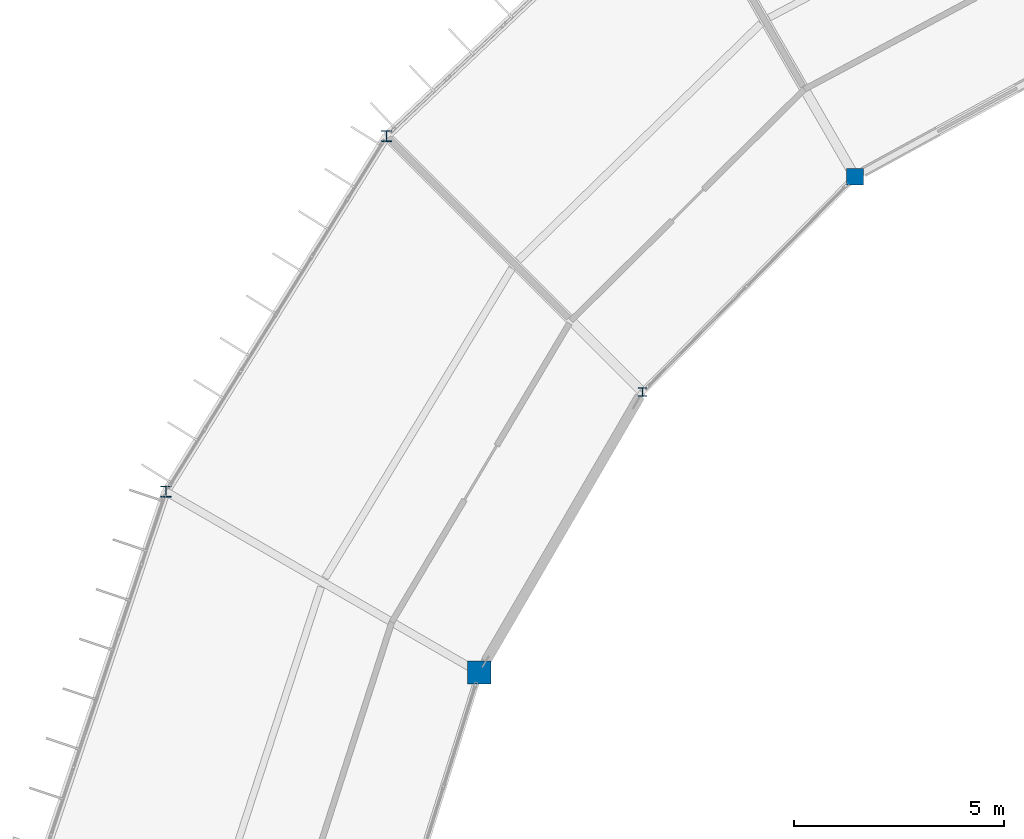
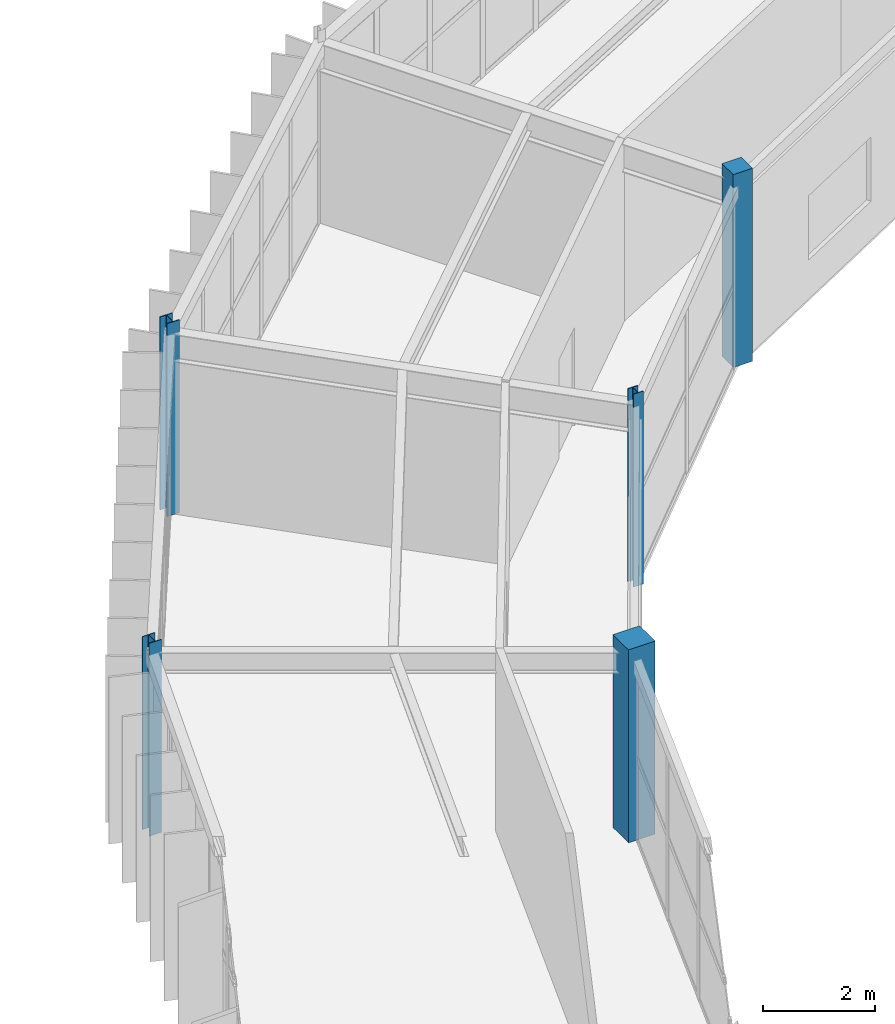
# One storey, part 11 of 134: 5 columns.
"""IFC4 building model written with IfcOpenShell, lengths in metres."""

from ifc_helpers import new_model, si_unit, direction, frame, origin, origin_2d, place, context, subcontext, project, spatial, rectangle, i_section, extrude, material, material_profile, profile_set, type_object, element, save


model = new_model("IFC4")

# Units and contexts
model_context = context("Model", 3, precision=1e-05, world=origin(), true_north=direction((0.0, 1.0)))
body_context = subcontext(model_context, "Body", "Model", "MODEL_VIEW")
ifc_project = project(units=[si_unit("LENGTHUNIT", "METRE"), si_unit("AREAUNIT", "SQUARE_METRE"), si_unit("VOLUMEUNIT", "CUBIC_METRE"), si_unit("PLANEANGLEUNIT", "RADIAN"), si_unit("MASSUNIT", "GRAM", prefix="KILO")], contexts=[model_context])

# Site, building, storey
site_placement = place(None, origin())
site = spatial("IfcSite", under=ifc_project, at=site_placement, CompositionType="ELEMENT")
building_placement = place(site_placement, origin())
building = spatial("IfcBuilding", under=site, at=building_placement, Name="Karori Crest Natural Sciences Institute", CompositionType="ELEMENT")
storey_placement = place(building_placement, frame((0.0, 0.0, 21.699951171875)))
storey = spatial("IfcBuildingStorey", under=building, at=storey_placement, Name="L05", CompositionType="ELEMENT", Elevation=21.699951171875)

# Columns
ifc_material_1 = material(Name="Structural steel AS/NZS 3679.1 Grade 350", Category="steel")
ifc_material_profile_1 = material_profile(ifc_material_1, i_section(OverallWidth=0.256103515625, OverallDepth=0.260009765625, WebThickness=0.010498046875, FlangeThickness=0.017333984375, FilletRadius=0.013916015625, at=origin_2d()), Name="250UC89.5")
ifc_profile_set_1 = profile_set([ifc_material_profile_1], Name="Structural steel AS/NZS 3679.1 Grade 350")
column_type_1 = type_object("IfcColumnType", Name="CT-06", PredefinedType="COLUMN", material=ifc_profile_set_1)
column_1_placement = place(storey_placement, frame((43.0654296875, 78.75, 0.0), z_axis=(0.0, 0.0, 1.0), x_axis=(1.0, 0.0, 0.0)))
element("IfcColumn", 1, at=column_1_placement, inside=storey, type_object=column_type_1, Name="Column C-0169", PredefinedType="COLUMN", context=body_context, shape_type="SweptSolid", body=[
    extrude(i_section(OverallWidth=0.256103515625, OverallDepth=0.260009765625, WebThickness=0.010498046875, FlangeThickness=0.017333984375, FilletRadius=0.013916015625, at=origin_2d()), origin(), (0.0, 0.0, 1.0), 4.199951171875),
])
ifc_material_profile_2 = material_profile(ifc_material_1, i_section(OverallWidth=0.25390625, OverallDepth=0.25390625, WebThickness=0.008544921875, FlangeThickness=0.01416015625, FilletRadius=0.013916015625, at=origin_2d()), Name="250UC72.9")
ifc_profile_set_2 = profile_set([ifc_material_profile_2], Name="Structural steel AS/NZS 3679.1 Grade 350")
column_type_2 = type_object("IfcColumnType", Name="CT-07", PredefinedType="COLUMN", material=ifc_profile_set_2)
column_2_placement = place(storey_placement, frame((37.8212890625, 70.300048828125, 0.0), z_axis=(0.0, 0.0, 1.0), x_axis=(1.0, 0.0, 0.0)))
element("IfcColumn", 2, at=column_2_placement, inside=storey, type_object=column_type_2, Name="Column C-0185", PredefinedType="COLUMN", context=body_context, shape_type="SweptSolid", body=[
    extrude(i_section(OverallWidth=0.25390625, OverallDepth=0.25390625, WebThickness=0.008544921875, FlangeThickness=0.01416015625, FilletRadius=0.013916015625, at=origin_2d()), origin(), (0.0, 0.0, 1.0), 4.199951171875),
])
ifc_material_profile_3 = material_profile(ifc_material_1, i_section(OverallWidth=0.205078125, OverallDepth=0.2099609375, WebThickness=0.00927734375, FlangeThickness=0.01416015625, FilletRadius=0.010986328125, at=origin_2d()), Name="200UC59.5")
ifc_profile_set_3 = profile_set([ifc_material_profile_3], Name="Structural steel AS/NZS 3679.1 Grade 350")
column_type_3 = type_object("IfcColumnType", Name="CT-08", PredefinedType="COLUMN", material=ifc_profile_set_3)
column_3_placement = place(storey_placement, frame((49.146484375, 72.668701171875, 0.0), z_axis=(0.0, 0.0, 1.0), x_axis=(1.0, 0.0, 0.0)))
element("IfcColumn", 3, at=column_3_placement, inside=storey, type_object=column_type_3, Name="Column C-0170", PredefinedType="COLUMN", context=body_context, shape_type="SweptSolid", body=[
    extrude(i_section(OverallWidth=0.205078125, OverallDepth=0.2099609375, WebThickness=0.00927734375, FlangeThickness=0.01416015625, FilletRadius=0.010986328125, at=origin_2d()), origin(), (0.0, 0.0, 1.0), 4.199951171875),
])
ifc_material_2 = material(Name="Concrete 50 MPa", Category="concrete")
ifc_material_profile_4 = material_profile(ifc_material_2, rectangle(XDim=0.550048828125, YDim=0.550048828125, at=origin_2d()), Name="RC550x550")
ifc_profile_set_4 = profile_set([ifc_material_profile_4], Name="Concrete 50 MPa")
column_type_4 = type_object("IfcColumnType", Name="CT-30", PredefinedType="COLUMN", material=ifc_profile_set_4)
column_4_placement = place(storey_placement, frame((45.26904296875, 66.0, 0.0), z_axis=(0.0, 0.0, 1.0), x_axis=(1.0, 0.0, 0.0)))
element("IfcColumn", 4, at=column_4_placement, inside=storey, type_object=column_type_4, Name="Column C-0186", PredefinedType="COLUMN", context=body_context, shape_type="SweptSolid", body=[
    extrude(rectangle(XDim=0.550048828125, YDim=0.550048828125, at=origin_2d()), origin(), (0.0, 0.0, 1.0), 4.199951171875),
])
ifc_material_profile_5 = material_profile(ifc_material_2, rectangle(XDim=0.39990234375, YDim=0.39990234375, at=origin_2d()), Name="RC400x400")
ifc_profile_set_5 = profile_set([ifc_material_profile_5], Name="Concrete 50 MPa")
column_type_5 = type_object("IfcColumnType", Name="CT-31", PredefinedType="PILASTER", material=ifc_profile_set_5)
column_5_placement = place(storey_placement, frame((54.199951171875, 77.785888671875, 0.0), z_axis=(0.0, 0.0, 1.0), x_axis=(1.0, 0.0, 0.0)))
element("IfcColumn", 5, at=column_5_placement, inside=storey, type_object=column_type_5, Name="Column C-0154", PredefinedType="PILASTER", context=body_context, shape_type="SweptSolid", body=[
    extrude(rectangle(XDim=0.39990234375, YDim=0.39990234375, at=origin_2d()), origin(), (0.0, 0.0, 1.0), 4.199951171875),
])

save(model, "model.ifc")
